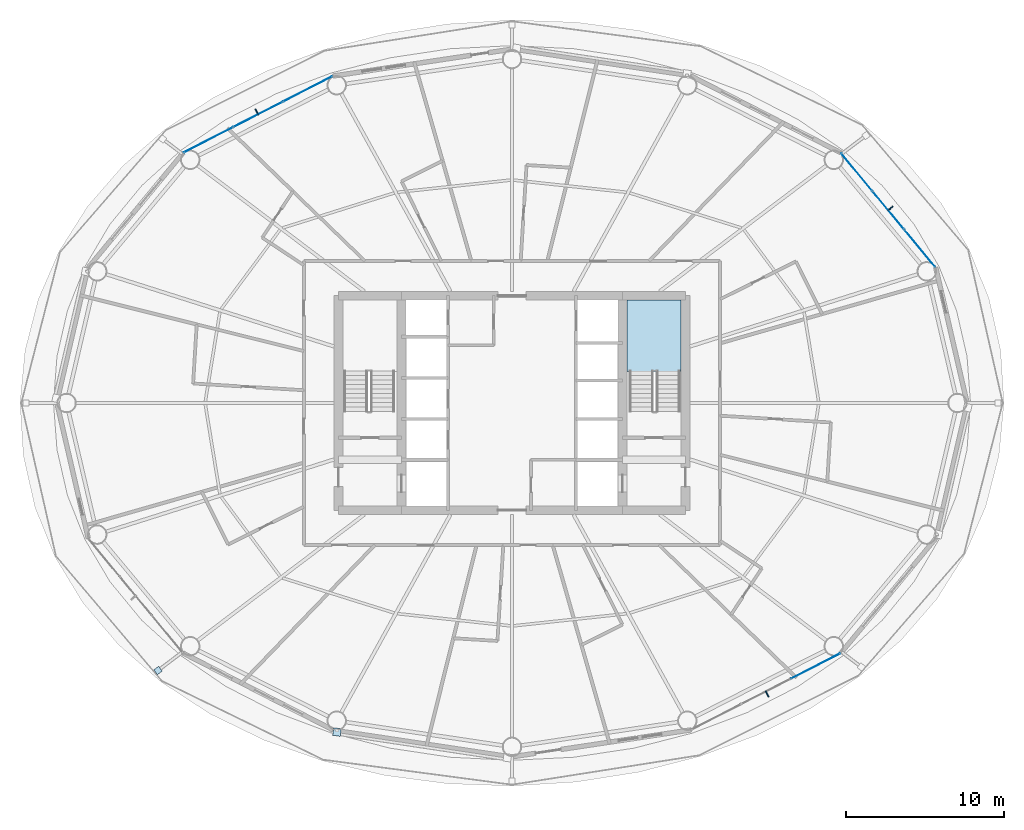
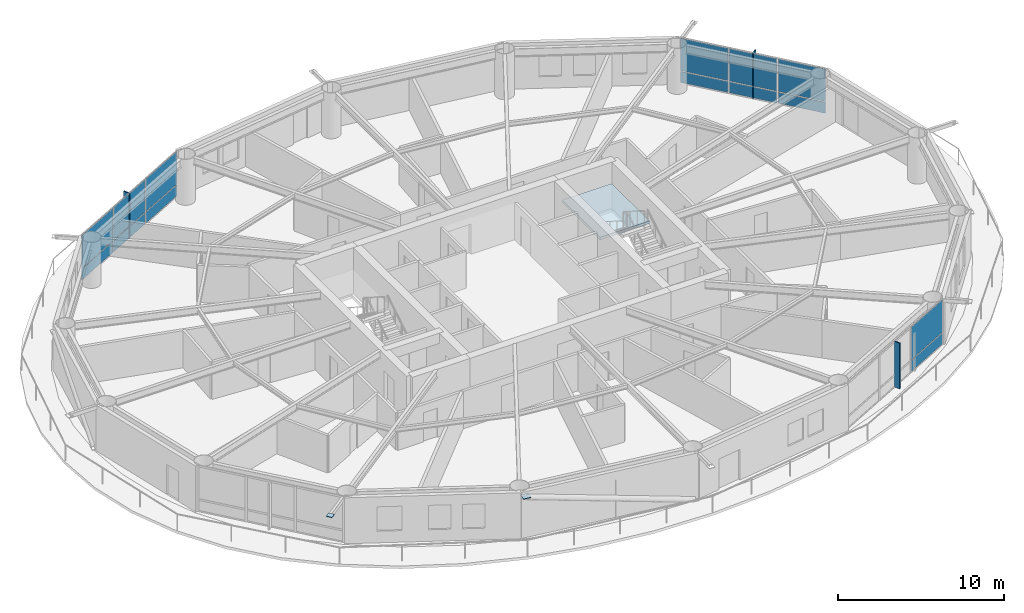
# One storey, part 16 of 24: 19 plates, 1 slab, 4 elements without a shape of their own.
"""IFC4 building model written with IfcOpenShell, lengths in metres."""

from ifc_helpers import new_model, si_unit, direction, frame, origin, origin_2d, place, context, subcontext, project, spatial, polyline, rectangle, outline, extrude, material, layer, layer_set, type_object, element, aggregate, save


model = new_model("IFC4")

# Units and contexts
model_context = context("Model", 3, precision=1e-05, world=origin(), true_north=direction((0.0, 1.0)))
body_context = subcontext(model_context, "Body", "Model", "MODEL_VIEW")
ifc_project = project(units=[si_unit("LENGTHUNIT", "METRE"), si_unit("AREAUNIT", "SQUARE_METRE"), si_unit("VOLUMEUNIT", "CUBIC_METRE"), si_unit("PLANEANGLEUNIT", "RADIAN"), si_unit("MASSUNIT", "GRAM", prefix="KILO")], contexts=[model_context])

# Site, building, storey
site_placement = place(None, origin())
site = spatial("IfcSite", under=ifc_project, at=site_placement, CompositionType="ELEMENT")
building_placement = place(site_placement, origin())
building = spatial("IfcBuilding", under=site, at=building_placement, Name="Sarneth Arch Tower", CompositionType="ELEMENT")
storey_placement = place(building_placement, frame((0.0, 0.0, 102.0)))
storey = spatial("IfcBuildingStorey", under=building, at=storey_placement, Name="L25", CompositionType="ELEMENT", Elevation=102.0)

# Curtain wall, plates
ifc_material_1 = material(Name="Anodised aluminium Type AA25 and solar-control low-e laminated IGU", Category="aluminium")
ifc_layer_1 = layer(ifc_material_1, 0.159912109375)
ifc_layer_set_1 = layer_set([ifc_layer_1], Name="Anodised aluminium Type AA25 and solar-control low-e laminated IGU")
curtain_wall_type = type_object("IfcCurtainWallType", Name="CW-HOTEL-MID", PredefinedType="NOTDEFINED", material=ifc_layer_set_1)
curtain_wall_1_placement = place(storey_placement, origin())
curtain_wall_1 = element("IfcCurtainWall", 1, at=curtain_wall_1_placement, inside=storey, type_object=curtain_wall_type, Name="L25 Unitised curtain wall facet 02", PredefinedType="NOTDEFINED")
ifc_material_2 = material(Name="Solar-control low-e laminated IGU", Category="glass")
ifc_layer_2 = layer(ifc_material_2, 0.028076171875)
ifc_layer_set_2 = layer_set([ifc_layer_2], Name="Solar-control low-e laminated IGU")
plate_type_1 = type_object("IfcPlateType", Name="CW-PANEL", PredefinedType="CURTAIN_PANEL", material=ifc_layer_set_2)
plate_1_placement = place(storey_placement, frame((73.84814453125, 51.807861328125, 0.06005859375), z_axis=(0.0, 0.0, 1.0), x_axis=(-0.637515188684, 0.770437787363, 0.0)))
plate_1 = element("IfcPlate", 2, at=plate_1_placement, type_object=plate_type_1, Name="Curtain wall glazed vision pane CW-L25-F02/P00-00", PredefinedType="CURTAIN_PANEL", context=body_context, shape_type="SweptSolid", body=[
    extrude(rectangle(XDim=3.058349609375, YDim=0.028076171875, at=origin_2d()), origin(), (0.0, 0.0, 1.0), 0.81005859375),
])
plate_2_placement = place(storey_placement, frame((73.84814453125, 51.807861328125, 0.93017578125), z_axis=(0.0, 0.0, 1.0), x_axis=(-0.637515188684, 0.770437787363, 0.0)))
plate_2 = element("IfcPlate", 3, at=plate_2_placement, type_object=plate_type_1, Name="Curtain wall glazed vision pane CW-L25-F02/P00-01", PredefinedType="CURTAIN_PANEL", context=body_context, shape_type="SweptSolid", body=[
    extrude(rectangle(XDim=3.058349609375, YDim=0.028076171875, at=origin_2d()), origin(), (0.0, 0.0, 1.0), 2.389892578125),
])
plate_3_placement = place(storey_placement, frame((71.8505859375, 54.221923828125, 0.06005859375), z_axis=(0.0, 0.0, 1.0), x_axis=(-0.637515188684, 0.770437787363, 0.0)))
plate_3 = element("IfcPlate", 4, at=plate_3_placement, type_object=plate_type_1, Name="Curtain wall glazed vision pane CW-L25-F02/P01-00", PredefinedType="CURTAIN_PANEL", context=body_context, shape_type="SweptSolid", body=[
    extrude(rectangle(XDim=3.08837890625, YDim=0.028076171875, at=origin_2d()), origin(), (0.0, 0.0, 1.0), 0.81005859375),
])
plate_4_placement = place(storey_placement, frame((71.8505859375, 54.221923828125, 0.93017578125), z_axis=(0.0, 0.0, 1.0), x_axis=(-0.637515188684, 0.770437787363, 0.0)))
plate_4 = element("IfcPlate", 5, at=plate_4_placement, type_object=plate_type_1, Name="Curtain wall glazed vision pane CW-L25-F02/P01-01", PredefinedType="CURTAIN_PANEL", context=body_context, shape_type="SweptSolid", body=[
    extrude(rectangle(XDim=3.08837890625, YDim=0.028076171875, at=origin_2d()), origin(), (0.0, 0.0, 1.0), 2.389892578125),
])
plate_5_placement = place(storey_placement, frame((69.85302734375, 56.635986328125, 0.06005859375), z_axis=(0.0, 0.0, 1.0), x_axis=(-0.637515188684, 0.770437787363, 0.0)))
plate_5 = element("IfcPlate", 6, at=plate_5_placement, type_object=plate_type_1, Name="Curtain wall glazed vision pane CW-L25-F02/P02-00", PredefinedType="CURTAIN_PANEL", context=body_context, shape_type="SweptSolid", body=[
    extrude(rectangle(XDim=3.058349609375, YDim=0.028076171875, at=origin_2d()), origin(), (0.0, 0.0, 1.0), 0.81005859375),
])
plate_6_placement = place(storey_placement, frame((69.85302734375, 56.635986328125, 0.93017578125), z_axis=(0.0, 0.0, 1.0), x_axis=(-0.637515188684, 0.770437787363, 0.0)))
plate_6 = element("IfcPlate", 7, at=plate_6_placement, type_object=plate_type_1, Name="Curtain wall glazed vision pane CW-L25-F02/P02-01", PredefinedType="CURTAIN_PANEL", context=body_context, shape_type="SweptSolid", body=[
    extrude(rectangle(XDim=3.058349609375, YDim=0.028076171875, at=origin_2d()), origin(), (0.0, 0.0, 1.0), 2.389892578125),
])
aggregate(curtain_wall_1, [plate_1, plate_2, plate_3, plate_4, plate_5, plate_6])

curtain_wall_2_placement = place(storey_placement, origin())
curtain_wall_2 = element("IfcCurtainWall", 8, at=curtain_wall_2_placement, inside=storey, type_object=curtain_wall_type, Name="L25 Unitised curtain wall facet 06", PredefinedType="NOTDEFINED")
plate_7_placement = place(storey_placement, frame((35.053955078125, 61.905517578125, 0.06005859375), z_axis=(0.0, 0.0, 1.0), x_axis=(-0.889963703649, -0.456031365356, 0.0)))
plate_7 = element("IfcPlate", 9, at=plate_7_placement, type_object=plate_type_1, Name="Curtain wall glazed vision pane CW-L25-F06/P00-00", PredefinedType="CURTAIN_PANEL", context=body_context, shape_type="SweptSolid", body=[
    extrude(rectangle(XDim=3.464111328125, YDim=0.028076171875, at=origin_2d()), origin(), (0.0, 0.0, 1.0), 0.81005859375),
])
plate_8_placement = place(storey_placement, frame((35.053955078125, 61.905517578125, 0.93017578125), z_axis=(0.0, 0.0, 1.0), x_axis=(-0.889963703649, -0.456031365356, 0.0)))
plate_8 = element("IfcPlate", 10, at=plate_8_placement, type_object=plate_type_1, Name="Curtain wall glazed vision pane CW-L25-F06/P00-01", PredefinedType="CURTAIN_PANEL", context=body_context, shape_type="SweptSolid", body=[
    extrude(rectangle(XDim=3.464111328125, YDim=0.028076171875, at=origin_2d()), origin(), (0.0, 0.0, 1.0), 2.389892578125),
])
plate_9_placement = place(storey_placement, frame((31.904296875, 60.29150390625, 0.06005859375), z_axis=(0.0, 0.0, 1.0), x_axis=(-0.889963703649, -0.456031365356, 0.0)))
plate_9 = element("IfcPlate", 11, at=plate_9_placement, type_object=plate_type_1, Name="Curtain wall glazed vision pane CW-L25-F06/P01-00", PredefinedType="CURTAIN_PANEL", context=body_context, shape_type="SweptSolid", body=[
    extrude(rectangle(XDim=3.493896484375, YDim=0.028076171875, at=origin_2d()), origin(), (0.0, 0.0, 1.0), 0.81005859375),
])
plate_10_placement = place(storey_placement, frame((31.904296875, 60.29150390625, 0.93017578125), z_axis=(0.0, 0.0, 1.0), x_axis=(-0.889963703649, -0.456031365356, 0.0)))
plate_10 = element("IfcPlate", 12, at=plate_10_placement, type_object=plate_type_1, Name="Curtain wall glazed vision pane CW-L25-F06/P01-01", PredefinedType="CURTAIN_PANEL", context=body_context, shape_type="SweptSolid", body=[
    extrude(rectangle(XDim=3.493896484375, YDim=0.028076171875, at=origin_2d()), origin(), (0.0, 0.0, 1.0), 2.389892578125),
])
plate_11_placement = place(storey_placement, frame((28.7548828125, 58.677734375, 0.06005859375), z_axis=(0.0, 0.0, 1.0), x_axis=(-0.889963703649, -0.456031365356, 0.0)))
plate_11 = element("IfcPlate", 13, at=plate_11_placement, type_object=plate_type_1, Name="Curtain wall glazed vision pane CW-L25-F06/P02-00", PredefinedType="CURTAIN_PANEL", context=body_context, shape_type="SweptSolid", body=[
    extrude(rectangle(XDim=3.464111328125, YDim=0.028076171875, at=origin_2d()), origin(), (0.0, 0.0, 1.0), 0.81005859375),
])
plate_12_placement = place(storey_placement, frame((28.7548828125, 58.677734375, 0.93017578125), z_axis=(0.0, 0.0, 1.0), x_axis=(-0.889963703649, -0.456031365356, 0.0)))
plate_12 = element("IfcPlate", 14, at=plate_12_placement, type_object=plate_type_1, Name="Curtain wall glazed vision pane CW-L25-F06/P02-01", PredefinedType="CURTAIN_PANEL", context=body_context, shape_type="SweptSolid", body=[
    extrude(rectangle(XDim=3.464111328125, YDim=0.028076171875, at=origin_2d()), origin(), (0.0, 0.0, 1.0), 2.389892578125),
])
aggregate(curtain_wall_2, [plate_7, plate_8, plate_9, plate_10, plate_11, plate_12])

curtain_wall_3_placement = place(storey_placement, origin())
curtain_wall_3 = element("IfcCurtainWall", 15, at=curtain_wall_3_placement, inside=storey, type_object=curtain_wall_type, Name="L25 Unitised curtain wall facet 14", PredefinedType="NOTDEFINED")
plate_13_placement = place(storey_placement, frame((67.2451171875, 25.322265625, 0.06005859375), z_axis=(0.0, 0.0, 1.0), x_axis=(0.889963703649, 0.456031365356, 0.0)))
plate_13 = element("IfcPlate", 16, at=plate_13_placement, type_object=plate_type_1, Name="Curtain wall glazed vision pane CW-L25-F14/P02-00", PredefinedType="CURTAIN_PANEL", context=body_context, shape_type="SweptSolid", body=[
    extrude(rectangle(XDim=3.464111328125, YDim=0.028076171875, at=origin_2d()), origin(), (0.0, 0.0, 1.0), 0.81005859375),
])
plate_14_placement = place(storey_placement, frame((67.2451171875, 25.322265625, 0.93017578125), z_axis=(0.0, 0.0, 1.0), x_axis=(0.889963703649, 0.456031365356, 0.0)))
plate_14 = element("IfcPlate", 17, at=plate_14_placement, type_object=plate_type_1, Name="Curtain wall glazed vision pane CW-L25-F14/P02-01", PredefinedType="CURTAIN_PANEL", context=body_context, shape_type="SweptSolid", body=[
    extrude(rectangle(XDim=3.464111328125, YDim=0.028076171875, at=origin_2d()), origin(), (0.0, 0.0, 1.0), 2.389892578125),
])
aggregate(curtain_wall_3, [plate_13, plate_14])

# Plates
ifc_material_3 = material(Name="Steel S355", Category="steel")
ifc_layer_3 = layer(ifc_material_3, 0.035888671875)
ifc_layer_set_3 = layer_set([ifc_layer_3], Name="Steel S355")
plate_type_2 = type_object("IfcPlateType", Name="PLT-GUSSET-30", PredefinedType="SHEET", material=ifc_layer_set_3)
plate_15_placement = place(storey_placement, frame((25.560791015625, 25.042236328125, 3.2021484375), z_axis=(0.0, 0.0, 1.0), x_axis=(-0.797794439539, -0.602929541689, 0.0)))
element("IfcPlate", 18, at=plate_15_placement, inside=storey, type_object=plate_type_2, Name="Steel end cap plate GP-1", PredefinedType="SHEET", context=body_context, shape_type="SweptSolid", body=[
    extrude(rectangle(XDim=0.3798828125, YDim=0.3798828125, at=origin_2d()), origin(), (0.0, 0.0, 1.0), 0.035888671875),
])
plate_16_placement = place(storey_placement, frame((36.9072265625, 21.140380859375, 2.99462890625), z_axis=(0.0, 0.0, 1.0), x_axis=(0.988860535448, -0.148845024885, 0.0)))
element("IfcPlate", 19, at=plate_16_placement, inside=storey, type_object=plate_type_2, Name="Steel end cap plate GP-1", PredefinedType="SHEET", context=body_context, shape_type="SweptSolid", body=[
    extrude(rectangle(XDim=0.486083984375, YDim=0.486083984375, at=origin_2d()), origin(), (0.0, 0.0, 1.0), 0.035888671875),
])
ifc_material_4 = material(Name="Extruded glazed terracotta baguette fin on Aluminium 6063-T6 carrier", Category="masonry")
ifc_layer_4 = layer(ifc_material_4, 0.080078125)
ifc_layer_set_4 = layer_set([ifc_layer_4], Name="Extruded glazed terracotta baguette fin on Aluminium 6063-T6 carrier")
plate_type_3 = type_object("IfcPlateType", Name="SHADE-TERRA-FIN", PredefinedType="SHEET", material=ifc_layer_set_4)
for number, where, z_axis, x_axis, name in (
    (20, (71.981689453125, 54.330322265625, 0.009765625), (0.0, 0.0, 1.0), (0.770401979567, 0.63755845997, 0.0), "L25 Terracotta vertical shading fin 02"),
    (21, (31.826904296875, 60.44287109375, 0.009765625), (0.0, 0.0, 1.0), (-0.456010959102, 0.889974159838, 0.0), "L25 Terracotta vertical shading fin 06"),
    (22, (64.173095703125, 23.55712890625, 0.009765625), (0.0, 0.0, 1.0), (0.456010959102, -0.889974159838, 0.0), "L25 Terracotta vertical shading fin 14"),
):
    element("IfcPlate", number, at=place(storey_placement, frame(where, z_axis=z_axis, x_axis=x_axis)), inside=storey, type_object=plate_type_3, Name=name, PredefinedType="SHEET", context=body_context, shape_type="SweptSolid", body=[
        extrude(rectangle(XDim=0.419921875, YDim=0.080078125, at=origin_2d()), origin(), (0.0, 0.0, 1.0), 3.360107421875),
    ])

# Stair, slab
ifc_material_5 = material(Name="Concrete C50/60", Category="concrete")
stair_type = type_object("IfcStairType", Name="STAIR-CORE-RC", PredefinedType="HALF_TURN_STAIR", material=ifc_material_5)
stair_placement = place(storey_placement, origin())
stair = element("IfcStair", 23, at=stair_placement, inside=storey, type_object=stair_type, Name="L25 Core Exit Stair 2", PredefinedType="HALF_TURN_STAIR")
ifc_material_6 = material(Name="Concrete C50/60", Category="concrete")
ifc_layer_5 = layer(ifc_material_6, 0.199951171875)
ifc_layer_set_5 = layer_set([ifc_layer_5], Name="Concrete C50/60")
slab_type = type_object("IfcSlabType", Name="SLAB-LANDING-200", PredefinedType="LANDING", material=ifc_layer_set_5)
slab_placement = place(storey_placement, frame((0.0, 0.0, 1.60009765625)))
slab = element("IfcSlab", 24, at=slab_placement, type_object=slab_type, Name="ST-2 landing 1", PredefinedType="LANDING", context=body_context, shape_type="SweptSolid", body=[
    extrude(outline(polyline([(55.27490234375, 43.985107421875), (58.72509765625, 43.985107421875), (58.72509765625, 48.52490234375), (55.27490234375, 48.52490234375), (55.27490234375, 43.985107421875)])), origin(), (0.0, 0.0, 1.0), 0.199951171875),
])
aggregate(stair, [slab])

save(model, "model.ifc")
